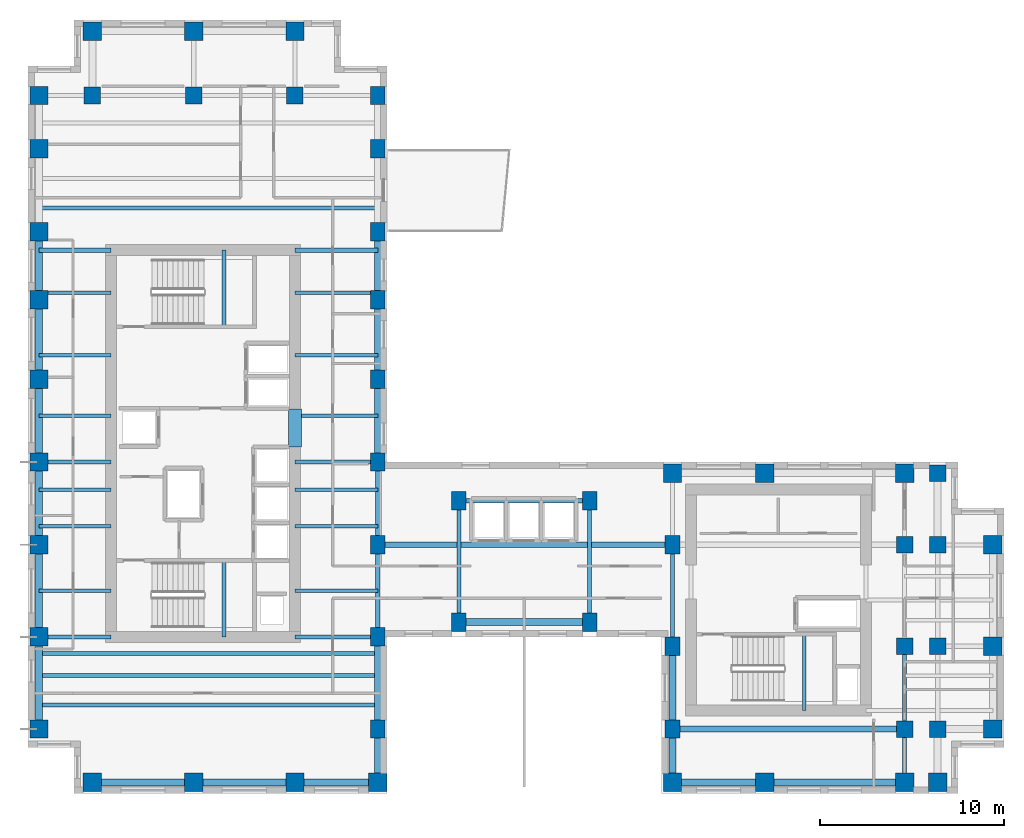
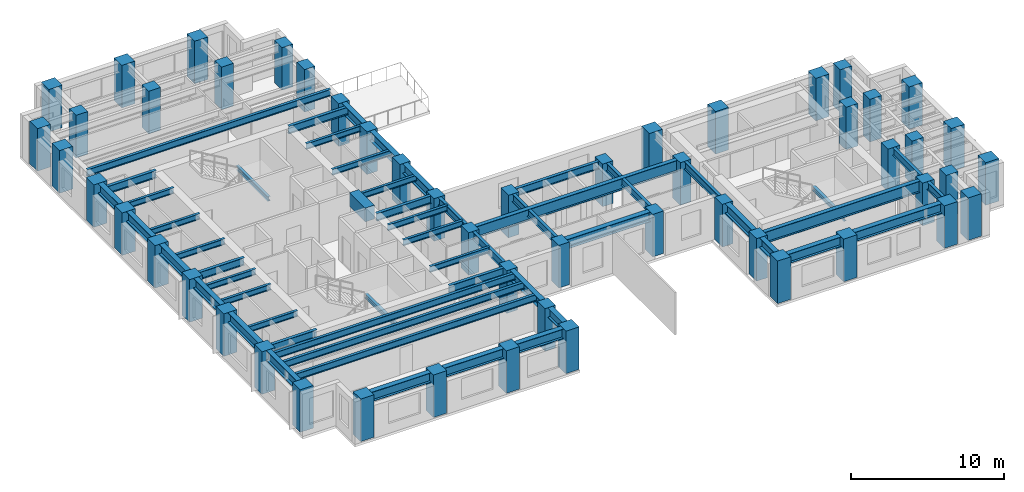
# One storey, part 1 of 11: 55 beams, 52 columns.
"""IFC4 building model written with IfcOpenShell, lengths in metres."""

from ifc_helpers import new_model, si_unit, direction, frame, origin, origin_2d, place, context, subcontext, project, spatial, rectangle, i_section, extrude, source, transform, mapped, material, material_profile, profile_set, type_object, element, save


model = new_model("IFC4")

# Units and contexts
model_context = context("Model", 3, precision=1e-05, world=origin(), true_north=direction((0.0, 1.0)))
body_context = subcontext(model_context, "Body", "Model", "MODEL_VIEW")
ifc_project = project(units=[si_unit("LENGTHUNIT", "METRE"), si_unit("AREAUNIT", "SQUARE_METRE"), si_unit("VOLUMEUNIT", "CUBIC_METRE"), si_unit("PLANEANGLEUNIT", "RADIAN"), si_unit("MASSUNIT", "GRAM", prefix="KILO")], contexts=[model_context])

# Site, building, storey
site_placement = place(None, origin())
site = spatial("IfcSite", under=ifc_project, at=site_placement, CompositionType="ELEMENT")
building_placement = place(site_placement, origin())
building = spatial("IfcBuilding", under=site, at=building_placement, Name="Kharzan Plaza Tower", CompositionType="ELEMENT")
storey_placement = place(building_placement, frame((0.0, 0.0, 171.89990234375)))
storey = spatial("IfcBuildingStorey", under=building, at=storey_placement, Name="L46", CompositionType="ELEMENT", Elevation=171.89990234375)

# Columns
ifc_material_1 = material(Name="Concrete C50/60", Category="concrete")
ifc_material_profile_1 = material_profile(ifc_material_1, rectangle(XDim=0.89990234375, YDim=0.89990234375, at=origin_2d()), Name="RC-IC900x900")
ifc_profile_set_1 = profile_set([ifc_material_profile_1], Name="Concrete C50/60")
column_type_1 = type_object("IfcColumnType", Name="COL-IC900", PredefinedType="COLUMN", material=ifc_profile_set_1)
shared_shape_1 = source(origin(), body_context, "Body", "SweptSolid", [
    extrude(rectangle(XDim=0.89990234375, YDim=0.89990234375, at=origin_2d()), origin(), (0.0, 0.0, 1.0), 3.400146484375),
])
for number, where, z_axis, x_axis, name in (
    (1, (47.60009765625, 13.5, 0.0), (0.0, 0.0, 1.0), (1.0, 0.0, 0.0), "L46 Structural Column TCBI-135"),
    (2, (47.60009765625, 3.5, 0.0), (0.0, 0.0, 1.0), (1.0, 0.0, 0.0), "L46 Structural Column TCBI-35"),
    (3, (47.60009765625, 8.0, 0.0), (0.0, 0.0, 1.0), (1.0, 0.0, 0.0), "L46 Structural Column TCBI-80"),
    (4, (49.39990234375, 13.5, 0.0), (0.0, 0.0, 1.0), (1.0, 0.0, 0.0), "L46 Structural Column TCE-494-135"),
    (5, (49.39990234375, 17.39990234375, 0.0), (0.0, 0.0, 1.0), (1.0, 0.0, 0.0), "L46 Structural Column TCE-494-174"),
    (6, (49.39990234375, 3.5, 0.0), (0.0, 0.0, 1.0), (1.0, 0.0, 0.0), "L46 Structural Column TCE-494-35"),
    (7, (49.39990234375, 8.0, 0.0), (0.0, 0.0, 1.0), (1.0, 0.0, 0.0), "L46 Structural Column TCE-494-80"),
    (8, (14.5, 37.89990234375, 0.0), (0.0, 0.0, 1.0), (1.0, 0.0, 0.0), "L46 Structural Column TCN-145-379"),
    (9, (3.5, 37.89990234375, 0.0), (0.0, 0.0, 1.0), (1.0, 0.0, 0.0), "L46 Structural Column TCN-35-379"),
    (10, (9.0, 37.89990234375, 0.0), (0.0, 0.0, 1.0), (1.0, 0.0, 0.0), "L46 Structural Column TCN-90-379"),
):
    element("IfcColumn", number, at=place(storey_placement, frame(where, z_axis=z_axis, x_axis=x_axis)), inside=storey, type_object=column_type_1, Name=name, PredefinedType="COLUMN", context=body_context, shape_type="MappedRepresentation", body=[
        mapped(shared_shape_1, transform((0.0, 0.0, 0.0), x_axis=(1.0, 0.0, 0.0), y_axis=(0.0, 1.0, 0.0), z_axis=(0.0, 0.0, 1.0))),
    ])
ifc_material_profile_2 = material_profile(ifc_material_1, rectangle(XDim=0.800048828125, YDim=1.0, at=origin_2d()), Name="RC-SC1000x800")
ifc_profile_set_2 = profile_set([ifc_material_profile_2], Name="Concrete C50/60")
column_type_2 = type_object("IfcColumnType", Name="COL-SC1000", PredefinedType="COLUMN", material=ifc_profile_set_2)
shared_shape_2 = source(origin(), body_context, "Body", "SweptSolid", [
    extrude(rectangle(XDim=0.800048828125, YDim=1.0, at=origin_2d()), origin(), (0.0, 0.0, 1.0), 3.400146484375),
])
for number, where, z_axis, x_axis, name in (
    (11, (19.0, 13.5, 0.0), (0.0, 0.0, 1.0), (1.0, 0.0, 0.0), "L46 Structural Column TCA-135"),
    (12, (19.0, 18.0, 0.0), (0.0, 0.0, 1.0), (1.0, 0.0, 0.0), "L46 Structural Column TCA-180"),
    (13, (19.0, 22.5, 0.0), (0.0, 0.0, 1.0), (1.0, 0.0, 0.0), "L46 Structural Column TCA-225"),
    (14, (19.0, 26.800048828125, 0.0), (0.0, 0.0, 1.0), (1.0, 0.0, 0.0), "L46 Structural Column TCA-268"),
    (15, (19.0, 30.5, 0.0), (0.0, 0.0, 1.0), (1.0, 0.0, 0.0), "L46 Structural Column TCA-305"),
    (16, (19.0, 3.5, 0.0), (0.0, 0.0, 1.0), (1.0, 0.0, 0.0), "L46 Structural Column TCA-35"),
    (17, (19.0, 35.0, 0.0), (0.0, 0.0, 1.0), (1.0, 0.0, 0.0), "L46 Structural Column TCA-350"),
    (18, (19.0, 37.89990234375, 0.0), (0.0, 0.0, 1.0), (1.0, 0.0, 0.0), "L46 Structural Column TCA-379"),
    (19, (19.0, 8.5, 0.0), (0.0, 0.0, 1.0), (1.0, 0.0, 0.0), "L46 Structural Column TCA-85"),
    (20, (35.0, 13.5, 0.0), (0.0, 0.0, 1.0), (1.0, 0.0, 0.0), "L46 Structural Column TCBS-135"),
    (21, (35.0, 3.5, 0.0), (0.0, 0.0, 1.0), (1.0, 0.0, 0.0), "L46 Structural Column TCBS-35"),
    (22, (35.0, 8.0, 0.0), (0.0, 0.0, 1.0), (1.0, 0.0, 0.0), "L46 Structural Column TCBS-80"),
    (23, (23.39990234375, 15.89990234375, 0.0), (0.0, 0.0, 1.0), (1.0, 0.0, 0.0), "L46 Structural Column TCSP-234-159"),
    (24, (23.39990234375, 9.300048828125, 0.0), (0.0, 0.0, 1.0), (1.0, 0.0, 0.0), "L46 Structural Column TCSP-234-93"),
    (25, (30.5, 15.89990234375, 0.0), (0.0, 0.0, 1.0), (1.0, 0.0, 0.0), "L46 Structural Column TCSP-305-159"),
    (26, (30.5, 9.300048828125, 0.0), (0.0, 0.0, 1.0), (1.0, 0.0, 0.0), "L46 Structural Column TCSP-305-93"),
):
    element("IfcColumn", number, at=place(storey_placement, frame(where, z_axis=z_axis, x_axis=x_axis)), inside=storey, type_object=column_type_2, Name=name, PredefinedType="COLUMN", context=body_context, shape_type="MappedRepresentation", body=[
        mapped(shared_shape_2, transform((0.0, 0.0, 0.0), x_axis=(1.0, 0.0, 0.0), y_axis=(0.0, 1.0, 0.0), z_axis=(0.0, 0.0, 1.0))),
    ])
ifc_material_profile_3 = material_profile(ifc_material_1, rectangle(XDim=1.0, YDim=1.0, at=origin_2d()), Name="RC-TC1000x1000")
ifc_profile_set_3 = profile_set([ifc_material_profile_3], Name="Concrete C50/60")
column_type_3 = type_object("IfcColumnType", Name="COL-TC1000", PredefinedType="COLUMN", material=ifc_profile_set_3)
shared_shape_3 = source(origin(), body_context, "Body", "SweptSolid", [
    extrude(rectangle(XDim=1.0, YDim=1.0, at=origin_2d()), origin(), (0.0, 0.0, 1.0), 3.400146484375),
])
for number, where, z_axis, x_axis, name in (
    (27, (35.0, 17.39990234375, 0.0), (0.0, 0.0, 1.0), (1.0, 0.0, 0.0), "L46 Structural Column TCBN-350-174"),
    (28, (40.0, 17.39990234375, 0.0), (0.0, 0.0, 1.0), (1.0, 0.0, 0.0), "L46 Structural Column TCBN-400-174"),
    (29, (47.60009765625, 17.39990234375, 0.0), (0.0, 0.0, 1.0), (1.0, 0.0, 0.0), "L46 Structural Column TCBN-476-174"),
    (30, (52.39990234375, 13.5, 0.0), (0.0, 0.0, 1.0), (1.0, 0.0, 0.0), "L46 Structural Column TCE-524-135"),
    (31, (52.39990234375, 3.5, 0.0), (0.0, 0.0, 1.0), (1.0, 0.0, 0.0), "L46 Structural Column TCE-524-35"),
    (32, (52.39990234375, 8.0, 0.0), (0.0, 0.0, 1.0), (1.0, 0.0, 0.0), "L46 Structural Column TCE-524-80"),
    (33, (14.5, 41.39990234375, 0.0), (0.0, 0.0, 1.0), (1.0, 0.0, 0.0), "L46 Structural Column TCN-145-414"),
    (34, (3.5, 41.39990234375, 0.0), (0.0, 0.0, 1.0), (1.0, 0.0, 0.0), "L46 Structural Column TCN-35-414"),
    (35, (9.0, 41.39990234375, 0.0), (0.0, 0.0, 1.0), (1.0, 0.0, 0.0), "L46 Structural Column TCN-90-414"),
    (36, (14.5, 0.60009765625, 0.0), (0.0, 0.0, 1.0), (1.0, 0.0, 0.0), "L46 Structural Column TCS-145"),
    (37, (19.0, 0.60009765625, 0.0), (0.0, 0.0, 1.0), (1.0, 0.0, 0.0), "L46 Structural Column TCS-190"),
    (38, (3.5, 0.60009765625, 0.0), (0.0, 0.0, 1.0), (1.0, 0.0, 0.0), "L46 Structural Column TCS-35"),
    (39, (35.0, 0.60009765625, 0.0), (0.0, 0.0, 1.0), (1.0, 0.0, 0.0), "L46 Structural Column TCS-350"),
    (40, (40.0, 0.60009765625, 0.0), (0.0, 0.0, 1.0), (1.0, 0.0, 0.0), "L46 Structural Column TCS-400"),
    (41, (47.60009765625, 0.60009765625, 0.0), (0.0, 0.0, 1.0), (1.0, 0.0, 0.0), "L46 Structural Column TCS-476"),
    (42, (49.39990234375, 0.60009765625, 0.0), (0.0, 0.0, 1.0), (1.0, 0.0, 0.0), "L46 Structural Column TCS-494"),
    (43, (9.0, 0.60009765625, 0.0), (0.0, 0.0, 1.0), (1.0, 0.0, 0.0), "L46 Structural Column TCS-90"),
    (44, (0.60009765625, 13.5, 0.0), (0.0, 0.0, 1.0), (1.0, 0.0, 0.0), "L46 Structural Column TCW-135"),
    (45, (0.60009765625, 18.0, 0.0), (0.0, 0.0, 1.0), (1.0, 0.0, 0.0), "L46 Structural Column TCW-180"),
    (46, (0.60009765625, 22.5, 0.0), (0.0, 0.0, 1.0), (1.0, 0.0, 0.0), "L46 Structural Column TCW-225"),
    (47, (0.60009765625, 26.800048828125, 0.0), (0.0, 0.0, 1.0), (1.0, 0.0, 0.0), "L46 Structural Column TCW-268"),
    (48, (0.60009765625, 30.5, 0.0), (0.0, 0.0, 1.0), (1.0, 0.0, 0.0), "L46 Structural Column TCW-305"),
    (49, (0.60009765625, 3.5, 0.0), (0.0, 0.0, 1.0), (1.0, 0.0, 0.0), "L46 Structural Column TCW-35"),
    (50, (0.60009765625, 35.0, 0.0), (0.0, 0.0, 1.0), (1.0, 0.0, 0.0), "L46 Structural Column TCW-350"),
    (51, (0.60009765625, 37.89990234375, 0.0), (0.0, 0.0, 1.0), (1.0, 0.0, 0.0), "L46 Structural Column TCW-379"),
    (52, (0.60009765625, 8.5, 0.0), (0.0, 0.0, 1.0), (1.0, 0.0, 0.0), "L46 Structural Column TCW-85"),
):
    element("IfcColumn", number, at=place(storey_placement, frame(where, z_axis=z_axis, x_axis=x_axis)), inside=storey, type_object=column_type_3, Name=name, PredefinedType="COLUMN", context=body_context, shape_type="MappedRepresentation", body=[
        mapped(shared_shape_3, transform((0.0, 0.0, 0.0), x_axis=(1.0, 0.0, 0.0), y_axis=(0.0, 1.0, 0.0), z_axis=(0.0, 0.0, 1.0))),
    ])

# Beams
ifc_material_2 = material(Name="Concrete C60/75", Category="concrete")
ifc_material_profile_4 = material_profile(ifc_material_2, rectangle(XDim=0.699951171875, YDim=1.10009765625, at=origin_2d()), Name="RC-CB1100x700")
ifc_profile_set_4 = profile_set([ifc_material_profile_4], Name="Concrete C60/75")
beam_type_1 = type_object("IfcBeamType", Name="BM-RCCB1100", PredefinedType="LINTEL", material=ifc_profile_set_4)
shared_shape_4 = source(origin(), body_context, "Body", "SweptSolid", [
    extrude(rectangle(XDim=0.699951171875, YDim=1.10009765625, at=origin_2d()), origin(), (0.0, 0.0, 1.0), 2.059814453125),
])
beam_1_placement = place(storey_placement, frame((14.5, 18.820068359375, 2.85009765625), z_axis=(0.0, 1.0, 0.0), x_axis=(-1.0, 0.0, 0.0)))
element("IfcBeam", 53, at=beam_1_placement, inside=storey, type_object=beam_type_1, Name="L46 CORE-A RC coupling beam CB1", PredefinedType="LINTEL", context=body_context, shape_type="MappedRepresentation", body=[
    mapped(shared_shape_4, transform((0.0, 0.0, 0.0), x_axis=(1.0, 0.0, 0.0), y_axis=(0.0, 1.0, 0.0), z_axis=(0.0, 0.0, 1.0))),
])
ifc_material_3 = material(Name="Steel S355", Category="steel")
ifc_material_profile_5 = material_profile(ifc_material_3, i_section(OverallWidth=0.205078125, OverallDepth=0.35400390625, WebThickness=0.009521484375, FlangeThickness=0.016845703125, at=origin_2d()), Name="W360x79")
ifc_profile_set_5 = profile_set([ifc_material_profile_5], Name="Steel S355")
beam_type_2 = type_object("IfcBeamType", Name="BM-LNT360", PredefinedType="LINTEL", material=ifc_profile_set_5)
shared_shape_5 = source(origin(), body_context, "Body", "SweptSolid", [
    extrude(i_section(OverallWidth=0.205078125, OverallDepth=0.35400390625, WebThickness=0.009521484375, FlangeThickness=0.016845703125, at=origin_2d()), origin(), (0.0, 0.0, 1.0), 4.155029296875),
])
for number, where, z_axis, x_axis, name in (
    (54, (10.64990234375, 8.5, 1.423095703125), (0.0, 1.0, 0.0), (-1.0, 0.0, 0.0), "L46 Stair ST-1 Half-Landing Beam"),
    (55, (10.64990234375, 25.344970703125, 1.423095703125), (0.0, 1.0, 0.0), (-1.0, 0.0, 0.0), "L46 Stair ST-2 Half-Landing Beam"),
    (56, (42.14990234375, 4.5, 1.423095703125), (0.0, 1.0, 0.0), (-1.0, 0.0, 0.0), "L46 Stair ST-3 Half-Landing Beam"),
):
    element("IfcBeam", number, at=place(storey_placement, frame(where, z_axis=z_axis, x_axis=x_axis)), inside=storey, type_object=beam_type_2, Name=name, PredefinedType="LINTEL", context=body_context, shape_type="MappedRepresentation", body=[
        mapped(shared_shape_5, transform((0.0, 0.0, 0.0), x_axis=(1.0, 0.0, 0.0), y_axis=(0.0, 1.0, 0.0), z_axis=(0.0, 0.0, 1.0))),
    ])
ifc_material_profile_6 = material_profile(ifc_material_3, i_section(OverallWidth=0.304931640625, OverallDepth=0.9189453125, WebThickness=0.017333984375, FlangeThickness=0.02783203125, at=origin_2d()), Name="W920x253")
ifc_profile_set_6 = profile_set([ifc_material_profile_6], Name="Steel S355")
beam_type_3 = type_object("IfcBeamType", Name="BM-FG920B", PredefinedType="BEAM", material=ifc_profile_set_6)
shared_shape_6 = source(origin(), body_context, "Body", "SweptSolid", [
    extrude(i_section(OverallWidth=0.304931640625, OverallDepth=0.9189453125, WebThickness=0.017333984375, FlangeThickness=0.02783203125, at=origin_2d()), origin(), (0.0, 0.0, 1.0), 12.60009765625),
])
beam_2_placement = place(storey_placement, frame((35.0, 3.5, 2.940673828125), z_axis=(1.0, 0.0, 0.0), x_axis=(0.0, 1.0, 0.0)))
element("IfcBeam", 57, at=beam_2_placement, inside=storey, type_object=beam_type_3, Name="L46 Primary Floor Girder", PredefinedType="BEAM", context=body_context, shape_type="MappedRepresentation", body=[
    mapped(shared_shape_6, transform((0.0, 0.0, 0.0), x_axis=(1.0, 0.0, 0.0), y_axis=(0.0, 1.0, 0.0), z_axis=(0.0, 0.0, 1.0))),
])
shared_shape_7 = source(origin(), body_context, "Body", "SweptSolid", [
    extrude(i_section(OverallWidth=0.304931640625, OverallDepth=0.9189453125, WebThickness=0.017333984375, FlangeThickness=0.02783203125, at=origin_2d()), origin(), (0.0, 0.0, 1.0), 16.0),
])
beam_3_placement = place(storey_placement, frame((19.0, 13.5, 2.940673828125), z_axis=(1.0, 0.0, 0.0), x_axis=(0.0, 1.0, 0.0)))
element("IfcBeam", 58, at=beam_3_placement, inside=storey, type_object=beam_type_3, Name="L46 Primary Floor Girder", PredefinedType="BEAM", context=body_context, shape_type="MappedRepresentation", body=[
    mapped(shared_shape_7, transform((0.0, 0.0, 0.0), x_axis=(1.0, 0.0, 0.0), y_axis=(0.0, 1.0, 0.0), z_axis=(0.0, 0.0, 1.0))),
])
ifc_material_profile_7 = material_profile(ifc_material_3, i_section(OverallWidth=0.2099609375, OverallDepth=0.537109375, WebThickness=0.010986328125, FlangeThickness=0.017333984375, at=origin_2d()), Name="W530x101")
ifc_profile_set_7 = profile_set([ifc_material_profile_7], Name="Steel S355")
beam_type_4 = type_object("IfcBeamType", Name="BM-JST530B", PredefinedType="JOIST", material=ifc_profile_set_7)
shared_shape_8 = source(origin(), body_context, "Body", "SweptSolid", [
    extrude(i_section(OverallWidth=0.2099609375, OverallDepth=0.537109375, WebThickness=0.010986328125, FlangeThickness=0.017333984375, at=origin_2d()), origin(), (0.0, 0.0, 1.0), 18.39990234375),
])
for number, where, z_axis, x_axis, name in (
    (59, (0.60009765625, 4.800048828125, 3.131591796875), (1.0, 0.0, 0.0), (0.0, 1.0, 0.0), "L46 Wing A Composite Joist 01"),
    (60, (0.60009765625, 6.39990234375, 3.131591796875), (1.0, 0.0, 0.0), (0.0, 1.0, 0.0), "L46 Wing A Composite Joist 02"),
    (61, (0.60009765625, 7.60009765625, 3.131591796875), (1.0, 0.0, 0.0), (0.0, 1.0, 0.0), "L46 Wing A Composite Joist 03"),
    (62, (0.60009765625, 31.800048828125, 3.131591796875), (1.0, 0.0, 0.0), (0.0, 1.0, 0.0), "L46 Wing A Composite Joist 04"),
):
    element("IfcBeam", number, at=place(storey_placement, frame(where, z_axis=z_axis, x_axis=x_axis)), inside=storey, type_object=beam_type_4, Name=name, PredefinedType="JOIST", context=body_context, shape_type="MappedRepresentation", body=[
        mapped(shared_shape_8, transform((0.0, 0.0, 0.0), x_axis=(1.0, 0.0, 0.0), y_axis=(0.0, 1.0, 0.0), z_axis=(0.0, 0.0, 1.0))),
    ])
ifc_material_profile_8 = material_profile(ifc_material_3, i_section(OverallWidth=0.194091796875, OverallDepth=0.468994140625, WebThickness=0.011474609375, FlangeThickness=0.0205078125, at=origin_2d()), Name="W460x106")
ifc_profile_set_8 = profile_set([ifc_material_profile_8], Name="Steel S355")
beam_type_5 = type_object("IfcBeamType", Name="BM-JST460", PredefinedType="JOIST", material=ifc_profile_set_8)
shared_shape_9 = source(origin(), body_context, "Body", "SweptSolid", [
    extrude(i_section(OverallWidth=0.194091796875, OverallDepth=0.468994140625, WebThickness=0.011474609375, FlangeThickness=0.0205078125, at=origin_2d()), origin(), (0.0, 0.0, 1.0), 4.5),
])
for number, where, z_axis, x_axis, name in (
    (63, (14.5, 11.0, 3.16552734375), (1.0, 0.0, 0.0), (0.0, 1.0, 0.0), "L46 Wing A East Infill Joist 1"),
    (64, (14.5, 14.5, 3.16552734375), (1.0, 0.0, 0.0), (0.0, 1.0, 0.0), "L46 Wing A East Infill Joist 2"),
    (65, (14.5, 16.5, 3.16552734375), (1.0, 0.0, 0.0), (0.0, 1.0, 0.0), "L46 Wing A East Infill Joist 3"),
    (66, (14.5, 20.5, 3.16552734375), (1.0, 0.0, 0.0), (0.0, 1.0, 0.0), "L46 Wing A East Infill Joist 4"),
    (67, (14.5, 23.800048828125, 3.16552734375), (1.0, 0.0, 0.0), (0.0, 1.0, 0.0), "L46 Wing A East Infill Joist 5"),
    (68, (14.5, 27.199951171875, 3.16552734375), (1.0, 0.0, 0.0), (0.0, 1.0, 0.0), "L46 Wing A East Infill Joist 6"),
):
    element("IfcBeam", number, at=place(storey_placement, frame(where, z_axis=z_axis, x_axis=x_axis)), inside=storey, type_object=beam_type_5, Name=name, PredefinedType="JOIST", context=body_context, shape_type="MappedRepresentation", body=[
        mapped(shared_shape_9, transform((0.0, 0.0, 0.0), x_axis=(1.0, 0.0, 0.0), y_axis=(0.0, 1.0, 0.0), z_axis=(0.0, 0.0, 1.0))),
    ])
shared_shape_10 = source(origin(), body_context, "Body", "SweptSolid", [
    extrude(i_section(OverallWidth=0.194091796875, OverallDepth=0.468994140625, WebThickness=0.011474609375, FlangeThickness=0.0205078125, at=origin_2d()), origin(), (0.0, 0.0, 1.0), 3.89990234375),
])
for number, where, z_axis, x_axis, name in (
    (69, (0.60009765625, 11.0, 3.16552734375), (1.0, 0.0, 0.0), (0.0, 1.0, 0.0), "L46 Wing A West Infill Joist 1"),
    (70, (0.60009765625, 14.5, 3.16552734375), (1.0, 0.0, 0.0), (0.0, 1.0, 0.0), "L46 Wing A West Infill Joist 2"),
    (71, (0.60009765625, 16.5, 3.16552734375), (1.0, 0.0, 0.0), (0.0, 1.0, 0.0), "L46 Wing A West Infill Joist 3"),
    (72, (0.60009765625, 20.5, 3.16552734375), (1.0, 0.0, 0.0), (0.0, 1.0, 0.0), "L46 Wing A West Infill Joist 4"),
    (73, (0.60009765625, 23.800048828125, 3.16552734375), (1.0, 0.0, 0.0), (0.0, 1.0, 0.0), "L46 Wing A West Infill Joist 5"),
    (74, (0.60009765625, 27.199951171875, 3.16552734375), (1.0, 0.0, 0.0), (0.0, 1.0, 0.0), "L46 Wing A West Infill Joist 6"),
):
    element("IfcBeam", number, at=place(storey_placement, frame(where, z_axis=z_axis, x_axis=x_axis)), inside=storey, type_object=beam_type_5, Name=name, PredefinedType="JOIST", context=body_context, shape_type="MappedRepresentation", body=[
        mapped(shared_shape_10, transform((0.0, 0.0, 0.0), x_axis=(1.0, 0.0, 0.0), y_axis=(0.0, 1.0, 0.0), z_axis=(0.0, 0.0, 1.0))),
    ])
ifc_material_profile_9 = material_profile(ifc_material_3, i_section(OverallWidth=0.22900390625, OverallDepth=0.612060546875, WebThickness=0.011962890625, FlangeThickness=0.01953125, at=origin_2d()), Name="W610x125")
ifc_profile_set_9 = profile_set([ifc_material_profile_9], Name="Steel S355")
beam_type_6 = type_object("IfcBeamType", Name="BM-FG610B", PredefinedType="BEAM", material=ifc_profile_set_9)
shared_shape_11 = source(origin(), body_context, "Body", "SweptSolid", [
    extrude(i_section(OverallWidth=0.22900390625, OverallDepth=0.612060546875, WebThickness=0.011962890625, FlangeThickness=0.01953125, at=origin_2d()), origin(), (0.0, 0.0, 1.0), 4.5),
])
for number, where, z_axis, x_axis, name in (
    (75, (14.5, 8.5, 3.093994140625), (1.0, 0.0, 0.0), (0.0, 1.0, 0.0), "L46 Core-A East Floor Girder 1"),
    (76, (14.5, 18.0, 3.093994140625), (1.0, 0.0, 0.0), (0.0, 1.0, 0.0), "L46 Core-A East Floor Girder 2"),
    (77, (14.5, 29.5, 3.093994140625), (1.0, 0.0, 0.0), (0.0, 1.0, 0.0), "L46 Core-A East Floor Girder 3"),
    (78, (19.0, 13.5, 3.093994140625), (0.0, 1.0, 0.0), (-1.0, 0.0, 0.0), "L46 Interior Frame Girder"),
    (79, (47.60009765625, 3.5, 3.093994140625), (0.0, 1.0, 0.0), (-1.0, 0.0, 0.0), "L46 Interior Frame Girder"),
):
    element("IfcBeam", number, at=place(storey_placement, frame(where, z_axis=z_axis, x_axis=x_axis)), inside=storey, type_object=beam_type_6, Name=name, PredefinedType="BEAM", context=body_context, shape_type="MappedRepresentation", body=[
        mapped(shared_shape_11, transform((0.0, 0.0, 0.0), x_axis=(1.0, 0.0, 0.0), y_axis=(0.0, 1.0, 0.0), z_axis=(0.0, 0.0, 1.0))),
    ])
shared_shape_12 = source(origin(), body_context, "Body", "SweptSolid", [
    extrude(i_section(OverallWidth=0.22900390625, OverallDepth=0.612060546875, WebThickness=0.011962890625, FlangeThickness=0.01953125, at=origin_2d()), origin(), (0.0, 0.0, 1.0), 3.89990234375),
])
for number, where, z_axis, x_axis, name in (
    (80, (0.60009765625, 8.5, 3.093994140625), (1.0, 0.0, 0.0), (0.0, 1.0, 0.0), "L46 Core-A West Floor Girder 1"),
    (81, (0.60009765625, 18.0, 3.093994140625), (1.0, 0.0, 0.0), (0.0, 1.0, 0.0), "L46 Core-A West Floor Girder 2"),
    (82, (0.60009765625, 29.5, 3.093994140625), (1.0, 0.0, 0.0), (0.0, 1.0, 0.0), "L46 Core-A West Floor Girder 3"),
):
    element("IfcBeam", number, at=place(storey_placement, frame(where, z_axis=z_axis, x_axis=x_axis)), inside=storey, type_object=beam_type_6, Name=name, PredefinedType="BEAM", context=body_context, shape_type="MappedRepresentation", body=[
        mapped(shared_shape_12, transform((0.0, 0.0, 0.0), x_axis=(1.0, 0.0, 0.0), y_axis=(0.0, 1.0, 0.0), z_axis=(0.0, 0.0, 1.0))),
    ])
shared_shape_13 = source(origin(), body_context, "Body", "SweptSolid", [
    extrude(i_section(OverallWidth=0.22900390625, OverallDepth=0.612060546875, WebThickness=0.011962890625, FlangeThickness=0.01953125, at=origin_2d()), origin(), (0.0, 0.0, 1.0), 5.0),
])
beam_4_placement = place(storey_placement, frame((19.0, 8.5, 3.093994140625), z_axis=(0.0, 1.0, 0.0), x_axis=(-1.0, 0.0, 0.0)))
element("IfcBeam", 83, at=beam_4_placement, inside=storey, type_object=beam_type_6, Name="L46 Interior Frame Girder", PredefinedType="BEAM", context=body_context, shape_type="MappedRepresentation", body=[
    mapped(shared_shape_13, transform((0.0, 0.0, 0.0), x_axis=(1.0, 0.0, 0.0), y_axis=(0.0, 1.0, 0.0), z_axis=(0.0, 0.0, 1.0))),
])
shared_shape_14 = source(origin(), body_context, "Body", "SweptSolid", [
    extrude(i_section(OverallWidth=0.22900390625, OverallDepth=0.612060546875, WebThickness=0.011962890625, FlangeThickness=0.01953125, at=origin_2d()), origin(), (0.0, 0.0, 1.0), 6.599853515625),
])
for number, where, z_axis, x_axis, name in (
    (84, (23.39990234375, 9.300048828125, 3.093994140625), (0.0, 1.0, 0.0), (-1.0, 0.0, 0.0), "L46 Interior Frame Girder"),
    (85, (30.5, 9.300048828125, 3.093994140625), (0.0, 1.0, 0.0), (-1.0, 0.0, 0.0), "L46 Interior Frame Girder"),
):
    element("IfcBeam", number, at=place(storey_placement, frame(where, z_axis=z_axis, x_axis=x_axis)), inside=storey, type_object=beam_type_6, Name=name, PredefinedType="BEAM", context=body_context, shape_type="MappedRepresentation", body=[
        mapped(shared_shape_14, transform((0.0, 0.0, 0.0), x_axis=(1.0, 0.0, 0.0), y_axis=(0.0, 1.0, 0.0), z_axis=(0.0, 0.0, 1.0))),
    ])
shared_shape_15 = source(origin(), body_context, "Body", "SweptSolid", [
    extrude(i_section(OverallWidth=0.22900390625, OverallDepth=0.612060546875, WebThickness=0.011962890625, FlangeThickness=0.01953125, at=origin_2d()), origin(), (0.0, 0.0, 1.0), 5.5),
])
beam_5_placement = place(storey_placement, frame((35.0, 8.0, 3.093994140625), z_axis=(0.0, 1.0, 0.0), x_axis=(-1.0, 0.0, 0.0)))
element("IfcBeam", 86, at=beam_5_placement, inside=storey, type_object=beam_type_6, Name="L46 Interior Frame Girder", PredefinedType="BEAM", context=body_context, shape_type="MappedRepresentation", body=[
    mapped(shared_shape_15, transform((0.0, 0.0, 0.0), x_axis=(1.0, 0.0, 0.0), y_axis=(0.0, 1.0, 0.0), z_axis=(0.0, 0.0, 1.0))),
])
shared_shape_16 = source(origin(), body_context, "Body", "SweptSolid", [
    extrude(i_section(OverallWidth=0.22900390625, OverallDepth=0.612060546875, WebThickness=0.011962890625, FlangeThickness=0.01953125, at=origin_2d()), origin(), (0.0, 0.0, 1.0), 2.89990234375),
])
beam_6_placement = place(storey_placement, frame((47.60009765625, 0.60009765625, 3.093994140625), z_axis=(0.0, 1.0, 0.0), x_axis=(-1.0, 0.0, 0.0)))
element("IfcBeam", 87, at=beam_6_placement, inside=storey, type_object=beam_type_6, Name="L46 Interior Frame Girder", PredefinedType="BEAM", context=body_context, shape_type="MappedRepresentation", body=[
    mapped(shared_shape_16, transform((0.0, 0.0, 0.0), x_axis=(1.0, 0.0, 0.0), y_axis=(0.0, 1.0, 0.0), z_axis=(0.0, 0.0, 1.0))),
])
shared_shape_17 = source(origin(), body_context, "Body", "SweptSolid", [
    extrude(i_section(OverallWidth=0.22900390625, OverallDepth=0.612060546875, WebThickness=0.011962890625, FlangeThickness=0.01953125, at=origin_2d()), origin(), (0.0, 0.0, 1.0), 7.10009765625),
])
beam_7_placement = place(storey_placement, frame((23.39990234375, 15.89990234375, 3.093994140625), z_axis=(1.0, 0.0, 0.0), x_axis=(0.0, 1.0, 0.0)))
element("IfcBeam", 88, at=beam_7_placement, inside=storey, type_object=beam_type_6, Name="L46 Primary Floor Girder", PredefinedType="BEAM", context=body_context, shape_type="MappedRepresentation", body=[
    mapped(shared_shape_17, transform((0.0, 0.0, 0.0), x_axis=(1.0, 0.0, 0.0), y_axis=(0.0, 1.0, 0.0), z_axis=(0.0, 0.0, 1.0))),
])
ifc_material_profile_10 = material_profile(ifc_material_3, i_section(OverallWidth=0.381103515625, OverallDepth=0.77294921875, WebThickness=0.0166015625, FlangeThickness=0.027587890625, at=origin_2d()), Name="W760x257")
ifc_profile_set_10 = profile_set([ifc_material_profile_10], Name="Steel S355")
beam_type_7 = type_object("IfcBeamType", Name="BM-SP760A", PredefinedType="SPANDREL", material=ifc_profile_set_10)
shared_shape_18 = source(origin(), body_context, "Body", "SweptSolid", [
    extrude(i_section(OverallWidth=0.381103515625, OverallDepth=0.77294921875, WebThickness=0.0166015625, FlangeThickness=0.027587890625, at=origin_2d()), origin(), (0.0, 0.0, 1.0), 5.0),
])
for number, where, z_axis, x_axis, name in (
    (89, (0.60009765625, 3.5, 3.013671875), (0.0, 1.0, 0.0), (-1.0, 0.0, 0.0), "L46 Perimeter Tube Spandrel"),
    (90, (0.60009765625, 8.5, 3.013671875), (0.0, 1.0, 0.0), (-1.0, 0.0, 0.0), "L46 Perimeter Tube Spandrel"),
    (91, (19.0, 3.5, 3.013671875), (0.0, 1.0, 0.0), (-1.0, 0.0, 0.0), "L46 Perimeter Tube Spandrel"),
    (92, (35.0, 0.60009765625, 3.013671875), (1.0, 0.0, 0.0), (0.0, 1.0, 0.0), "L46 Perimeter Tube Spandrel"),
):
    element("IfcBeam", number, at=place(storey_placement, frame(where, z_axis=z_axis, x_axis=x_axis)), inside=storey, type_object=beam_type_7, Name=name, PredefinedType="SPANDREL", context=body_context, shape_type="MappedRepresentation", body=[
        mapped(shared_shape_18, transform((0.0, 0.0, 0.0), x_axis=(1.0, 0.0, 0.0), y_axis=(0.0, 1.0, 0.0), z_axis=(0.0, 0.0, 1.0))),
    ])
shared_shape_19 = source(origin(), body_context, "Body", "SweptSolid", [
    extrude(i_section(OverallWidth=0.381103515625, OverallDepth=0.77294921875, WebThickness=0.0166015625, FlangeThickness=0.027587890625, at=origin_2d()), origin(), (0.0, 0.0, 1.0), 4.5),
])
for number, where, z_axis, x_axis, name in (
    (93, (0.60009765625, 13.5, 3.013671875), (0.0, 1.0, 0.0), (-1.0, 0.0, 0.0), "L46 Perimeter Tube Spandrel"),
    (94, (0.60009765625, 18.0, 3.013671875), (0.0, 1.0, 0.0), (-1.0, 0.0, 0.0), "L46 Perimeter Tube Spandrel"),
    (95, (19.0, 18.0, 3.013671875), (0.0, 1.0, 0.0), (-1.0, 0.0, 0.0), "L46 Perimeter Tube Spandrel"),
    (96, (35.0, 3.5, 3.013671875), (0.0, 1.0, 0.0), (-1.0, 0.0, 0.0), "L46 Perimeter Tube Spandrel"),
    (97, (14.5, 0.60009765625, 3.013671875), (1.0, 0.0, 0.0), (0.0, 1.0, 0.0), "L46 Perimeter Tube Spandrel"),
):
    element("IfcBeam", number, at=place(storey_placement, frame(where, z_axis=z_axis, x_axis=x_axis)), inside=storey, type_object=beam_type_7, Name=name, PredefinedType="SPANDREL", context=body_context, shape_type="MappedRepresentation", body=[
        mapped(shared_shape_19, transform((0.0, 0.0, 0.0), x_axis=(1.0, 0.0, 0.0), y_axis=(0.0, 1.0, 0.0), z_axis=(0.0, 0.0, 1.0))),
    ])
shared_shape_20 = source(origin(), body_context, "Body", "SweptSolid", [
    extrude(i_section(OverallWidth=0.381103515625, OverallDepth=0.77294921875, WebThickness=0.0166015625, FlangeThickness=0.027587890625, at=origin_2d()), origin(), (0.0, 0.0, 1.0), 4.300048828125),
])
for number, where, z_axis, x_axis, name in (
    (98, (0.60009765625, 22.5, 3.013671875), (0.0, 1.0, 0.0), (-1.0, 0.0, 0.0), "L46 Perimeter Tube Spandrel"),
    (99, (19.0, 22.5, 3.013671875), (0.0, 1.0, 0.0), (-1.0, 0.0, 0.0), "L46 Perimeter Tube Spandrel"),
):
    element("IfcBeam", number, at=place(storey_placement, frame(where, z_axis=z_axis, x_axis=x_axis)), inside=storey, type_object=beam_type_7, Name=name, PredefinedType="SPANDREL", context=body_context, shape_type="MappedRepresentation", body=[
        mapped(shared_shape_20, transform((0.0, 0.0, 0.0), x_axis=(1.0, 0.0, 0.0), y_axis=(0.0, 1.0, 0.0), z_axis=(0.0, 0.0, 1.0))),
    ])
shared_shape_21 = source(origin(), body_context, "Body", "SweptSolid", [
    extrude(i_section(OverallWidth=0.381103515625, OverallDepth=0.77294921875, WebThickness=0.0166015625, FlangeThickness=0.027587890625, at=origin_2d()), origin(), (0.0, 0.0, 1.0), 3.699951171875),
])
for number, where, z_axis, x_axis, name in (
    (100, (0.60009765625, 26.800048828125, 3.013671875), (0.0, 1.0, 0.0), (-1.0, 0.0, 0.0), "L46 Perimeter Tube Spandrel"),
    (101, (19.0, 26.800048828125, 3.013671875), (0.0, 1.0, 0.0), (-1.0, 0.0, 0.0), "L46 Perimeter Tube Spandrel"),
):
    element("IfcBeam", number, at=place(storey_placement, frame(where, z_axis=z_axis, x_axis=x_axis)), inside=storey, type_object=beam_type_7, Name=name, PredefinedType="SPANDREL", context=body_context, shape_type="MappedRepresentation", body=[
        mapped(shared_shape_21, transform((0.0, 0.0, 0.0), x_axis=(1.0, 0.0, 0.0), y_axis=(0.0, 1.0, 0.0), z_axis=(0.0, 0.0, 1.0))),
    ])
shared_shape_22 = source(origin(), body_context, "Body", "SweptSolid", [
    extrude(i_section(OverallWidth=0.381103515625, OverallDepth=0.77294921875, WebThickness=0.0166015625, FlangeThickness=0.027587890625, at=origin_2d()), origin(), (0.0, 0.0, 1.0), 2.89990234375),
])
for number, where, z_axis, x_axis, name in (
    (102, (19.0, 0.60009765625, 3.013671875), (0.0, 1.0, 0.0), (-1.0, 0.0, 0.0), "L46 Perimeter Tube Spandrel"),
    (103, (35.0, 0.60009765625, 3.013671875), (0.0, 1.0, 0.0), (-1.0, 0.0, 0.0), "L46 Perimeter Tube Spandrel"),
):
    element("IfcBeam", number, at=place(storey_placement, frame(where, z_axis=z_axis, x_axis=x_axis)), inside=storey, type_object=beam_type_7, Name=name, PredefinedType="SPANDREL", context=body_context, shape_type="MappedRepresentation", body=[
        mapped(shared_shape_22, transform((0.0, 0.0, 0.0), x_axis=(1.0, 0.0, 0.0), y_axis=(0.0, 1.0, 0.0), z_axis=(0.0, 0.0, 1.0))),
    ])
shared_shape_23 = source(origin(), body_context, "Body", "SweptSolid", [
    extrude(i_section(OverallWidth=0.381103515625, OverallDepth=0.77294921875, WebThickness=0.0166015625, FlangeThickness=0.027587890625, at=origin_2d()), origin(), (0.0, 0.0, 1.0), 5.5),
])
for number, where, z_axis, x_axis, name in (
    (104, (3.5, 0.60009765625, 3.013671875), (1.0, 0.0, 0.0), (0.0, 1.0, 0.0), "L46 Perimeter Tube Spandrel"),
    (105, (9.0, 0.60009765625, 3.013671875), (1.0, 0.0, 0.0), (0.0, 1.0, 0.0), "L46 Perimeter Tube Spandrel"),
):
    element("IfcBeam", number, at=place(storey_placement, frame(where, z_axis=z_axis, x_axis=x_axis)), inside=storey, type_object=beam_type_7, Name=name, PredefinedType="SPANDREL", context=body_context, shape_type="MappedRepresentation", body=[
        mapped(shared_shape_23, transform((0.0, 0.0, 0.0), x_axis=(1.0, 0.0, 0.0), y_axis=(0.0, 1.0, 0.0), z_axis=(0.0, 0.0, 1.0))),
    ])
shared_shape_24 = source(origin(), body_context, "Body", "SweptSolid", [
    extrude(i_section(OverallWidth=0.381103515625, OverallDepth=0.77294921875, WebThickness=0.0166015625, FlangeThickness=0.027587890625, at=origin_2d()), origin(), (0.0, 0.0, 1.0), 7.60009765625),
])
beam_8_placement = place(storey_placement, frame((40.0, 0.60009765625, 3.013671875), z_axis=(1.0, 0.0, 0.0), x_axis=(0.0, 1.0, 0.0)))
element("IfcBeam", 106, at=beam_8_placement, inside=storey, type_object=beam_type_7, Name="L46 Perimeter Tube Spandrel", PredefinedType="SPANDREL", context=body_context, shape_type="MappedRepresentation", body=[
    mapped(shared_shape_24, transform((0.0, 0.0, 0.0), x_axis=(1.0, 0.0, 0.0), y_axis=(0.0, 1.0, 0.0), z_axis=(0.0, 0.0, 1.0))),
])
shared_shape_25 = source(origin(), body_context, "Body", "SweptSolid", [
    extrude(i_section(OverallWidth=0.381103515625, OverallDepth=0.77294921875, WebThickness=0.0166015625, FlangeThickness=0.027587890625, at=origin_2d()), origin(), (0.0, 0.0, 1.0), 7.10009765625),
])
beam_9_placement = place(storey_placement, frame((23.39990234375, 9.300048828125, 3.013671875), z_axis=(1.0, 0.0, 0.0), x_axis=(0.0, 1.0, 0.0)))
element("IfcBeam", 107, at=beam_9_placement, inside=storey, type_object=beam_type_7, Name="L46 Perimeter Tube Spandrel", PredefinedType="SPANDREL", context=body_context, shape_type="MappedRepresentation", body=[
    mapped(shared_shape_25, transform((0.0, 0.0, 0.0), x_axis=(1.0, 0.0, 0.0), y_axis=(0.0, 1.0, 0.0), z_axis=(0.0, 0.0, 1.0))),
])

save(model, "model.ifc")
